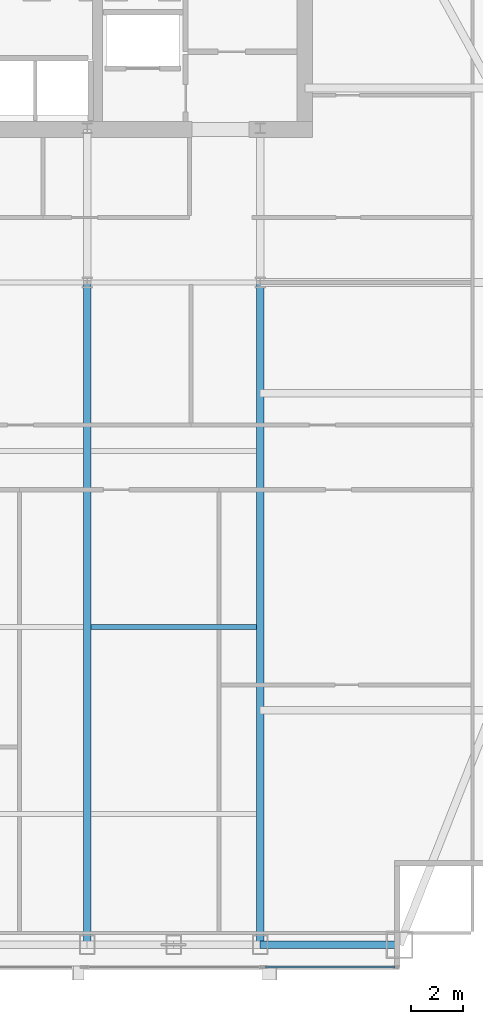
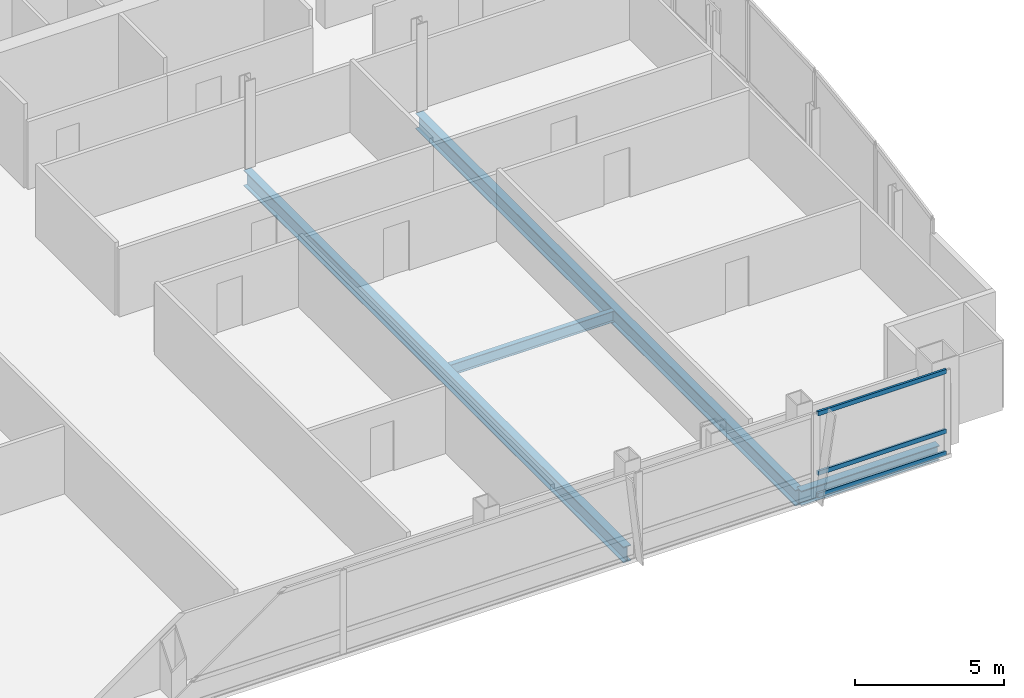
# One storey, part 15 of 29: 4 beams, 3 members, 1 element without a shape of its own.
"""IFC4 building model written with IfcOpenShell, lengths in metres."""

from ifc_helpers import new_model, si_unit, direction, frame, origin, origin_2d, place, context, subcontext, project, spatial, hollow_rectangle, i_section, extrude, material, material_profile, profile_set, type_object, element, aggregate, save


model = new_model("IFC4")

# Units and contexts
model_context = context("Model", 3, precision=1e-05, world=origin(), true_north=direction((0.0, 1.0)))
body_context = subcontext(model_context, "Body", "Model", "MODEL_VIEW")
ifc_project = project(units=[si_unit("LENGTHUNIT", "METRE"), si_unit("AREAUNIT", "SQUARE_METRE"), si_unit("VOLUMEUNIT", "CUBIC_METRE"), si_unit("PLANEANGLEUNIT", "RADIAN"), si_unit("MASSUNIT", "GRAM", prefix="KILO")], contexts=[model_context])

# Site, building, storey
site_placement = place(None, origin())
site = spatial("IfcSite", under=ifc_project, at=site_placement, CompositionType="ELEMENT")
building_placement = place(site_placement, origin())
building = spatial("IfcBuilding", under=site, at=building_placement, Name="Khoronbel Lancet Exchange", CompositionType="ELEMENT")
storey_placement = place(building_placement, frame((0.0, 0.0, 246.199951171875)))
storey = spatial("IfcBuildingStorey", under=building, at=storey_placement, Name="L63", CompositionType="ELEMENT", Elevation=246.199951171875)

# Beams
ifc_material_1 = material(Name="Steel S355", Category="steel")
ifc_material_profile_1 = material_profile(ifc_material_1, i_section(OverallWidth=0.300048828125, OverallDepth=0.64990234375, WebThickness=0.01611328125, FlangeThickness=0.031005859375, at=origin_2d()), Name="HEB 650")
ifc_profile_set_1 = profile_set([ifc_material_profile_1], Name="Steel S355")
beam_type_1 = type_object("IfcBeamType", Name="BM-BG4", PredefinedType="BEAM", material=ifc_profile_set_1)
for number, where, z_axis, x_axis, name in (
    (1, (48.0, 10.14990234375, -0.48486328125), (0.0, 1.0, 0.0), (-1.0, 0.0, 0.0), "Level L63 south primary girder GS5"),
    (2, (54.675048828125, 10.14990234375, -0.48486328125), (0.0, 1.0, 0.0), (-1.0, 0.0, 0.0), "Level L63 south primary girder GS6"),
):
    element("IfcBeam", number, at=place(storey_placement, frame(where, z_axis=z_axis, x_axis=x_axis)), inside=storey, type_object=beam_type_1, Name=name, PredefinedType="BEAM", context=body_context, shape_type="SweptSolid", body=[
        extrude(i_section(OverallWidth=0.300048828125, OverallDepth=0.64990234375, WebThickness=0.01611328125, FlangeThickness=0.031005859375, at=origin_2d()), origin(), (0.0, 0.0, 1.0), 25.550048828125),
    ])
ifc_material_profile_2 = material_profile(ifc_material_1, i_section(OverallWidth=0.18994140625, OverallDepth=0.449951171875, WebThickness=0.009521484375, FlangeThickness=0.0146484375, at=origin_2d()), Name="IPE 450")
ifc_profile_set_2 = profile_set([ifc_material_profile_2], Name="Steel S355")
beam_type_2 = type_object("IfcBeamType", Name="BM-BJ4", PredefinedType="JOIST", material=ifc_profile_set_2)
beam_1_placement = place(storey_placement, frame((48.14990234375, 22.39990234375, -0.385009765625), z_axis=(1.0, 0.0, 0.0), x_axis=(0.0, 1.0, 0.0)))
element("IfcBeam", 3, at=beam_1_placement, inside=storey, type_object=beam_type_2, Name="Level L63 secondary composite joist J10", PredefinedType="JOIST", context=body_context, shape_type="SweptSolid", body=[
    extrude(i_section(OverallWidth=0.18994140625, OverallDepth=0.449951171875, WebThickness=0.009521484375, FlangeThickness=0.0146484375, at=origin_2d()), origin(), (0.0, 0.0, 1.0), 6.375),
])
ifc_material_profile_3 = material_profile(ifc_material_1, i_section(OverallWidth=0.300048828125, OverallDepth=0.60009765625, WebThickness=0.015380859375, FlangeThickness=0.030029296875, at=origin_2d()), Name="HEB 600")
ifc_profile_set_3 = profile_set([ifc_material_profile_3], Name="Steel S355")
beam_type_3 = type_object("IfcBeamType", Name="BM-BSP2", PredefinedType="SPANDREL", material=ifc_profile_set_3)
beam_2_placement = place(storey_placement, frame((54.675048828125, 10.14990234375, -0.4599609375), z_axis=(1.0, 0.0, 0.0), x_axis=(0.0, 1.0, 0.0)))
element("IfcBeam", 4, at=beam_2_placement, inside=storey, type_object=beam_type_3, Name="Level L63 perimeter spandrel beam SP09", PredefinedType="SPANDREL", context=body_context, shape_type="SweptSolid", body=[
    extrude(i_section(OverallWidth=0.300048828125, OverallDepth=0.60009765625, WebThickness=0.015380859375, FlangeThickness=0.030029296875, at=origin_2d()), origin(), (0.0, 0.0, 1.0), 5.375),
])

# Curtain wall, members
ifc_material_2 = material(Name="Low-E Solar Control Insulating Glass", Category="glass")
curtain_wall_type = type_object("IfcCurtainWallType", Name="CW-3", PredefinedType="NOTDEFINED", material=ifc_material_2)
curtain_wall_placement = place(storey_placement, origin())
curtain_wall = element("IfcCurtainWall", 5, at=curtain_wall_placement, inside=storey, type_object=curtain_wall_type, Name="Unitised curtain wall CW-L63-SEV", PredefinedType="NOTDEFINED")
ifc_material_3 = material(Name="Bronze-Anodised Aluminium 6063-T6", Category="aluminium")
ifc_material_profile_4 = material_profile(ifc_material_3, hollow_rectangle(XDim=0.0849609375, YDim=0.179931640625, WallThickness=0.0048828125, at=origin_2d()), Name="ALU TRANSOM 85x180")
ifc_profile_set_4 = profile_set([ifc_material_profile_4], Name="Bronze-Anodised Aluminium 6063-T6")
member_type = type_object("IfcMemberType", Name="MEM-CWT1", PredefinedType="USERDEFINED", material=ifc_profile_set_4)
member_1_placement = place(storey_placement, frame((54.885009765625, 9.2900390625, 0.04248046875), z_axis=(1.0, 0.0, 0.0), x_axis=(0.0, 1.0, 0.0)))
member_1 = element("IfcMember", 6, at=member_1_placement, type_object=member_type, Name="CW3 transom 1.1", ObjectType="TRANSOM", PredefinedType="USERDEFINED", context=body_context, shape_type="SweptSolid", body=[
    extrude(hollow_rectangle(XDim=0.0849609375, YDim=0.179931640625, WallThickness=0.0048828125, at=origin_2d()), origin(), (0.0, 0.0, 1.0), 4.989990234375),
])
member_2_placement = place(storey_placement, frame((54.885009765625, 9.2900390625, 0.949951171875), z_axis=(1.0, 0.0, 0.0), x_axis=(0.0, 1.0, 0.0)))
member_2 = element("IfcMember", 7, at=member_2_placement, type_object=member_type, Name="CW3 transom 1.2", ObjectType="TRANSOM", PredefinedType="USERDEFINED", context=body_context, shape_type="SweptSolid", body=[
    extrude(hollow_rectangle(XDim=0.0849609375, YDim=0.179931640625, WallThickness=0.0048828125, at=origin_2d()), origin(), (0.0, 0.0, 1.0), 4.989990234375),
])
member_3_placement = place(storey_placement, frame((54.885009765625, 9.2900390625, 3.3974609375), z_axis=(1.0, 0.0, 0.0), x_axis=(0.0, 1.0, 0.0)))
member_3 = element("IfcMember", 8, at=member_3_placement, type_object=member_type, Name="CW3 transom 1.3", ObjectType="TRANSOM", PredefinedType="USERDEFINED", context=body_context, shape_type="SweptSolid", body=[
    extrude(hollow_rectangle(XDim=0.0849609375, YDim=0.179931640625, WallThickness=0.0048828125, at=origin_2d()), origin(), (0.0, 0.0, 1.0), 4.989990234375),
])
aggregate(curtain_wall, [member_1, member_2, member_3])

save(model, "model.ifc")
